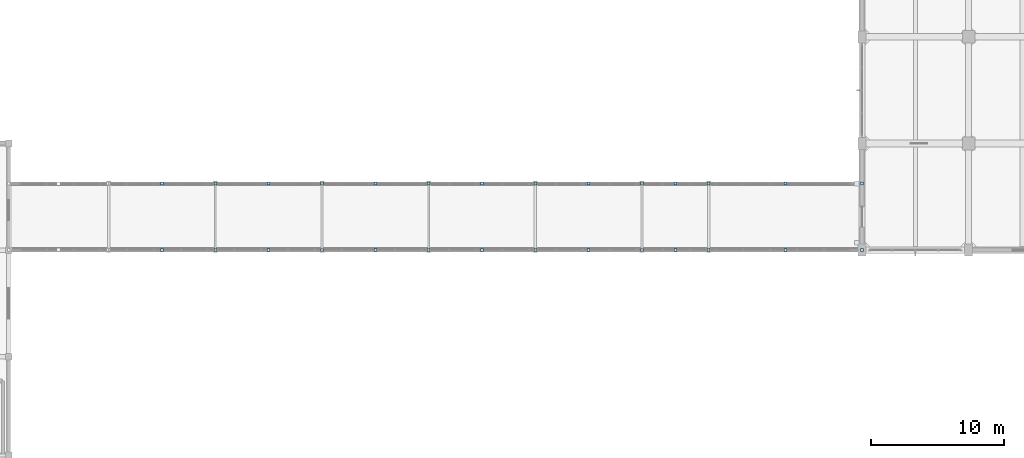
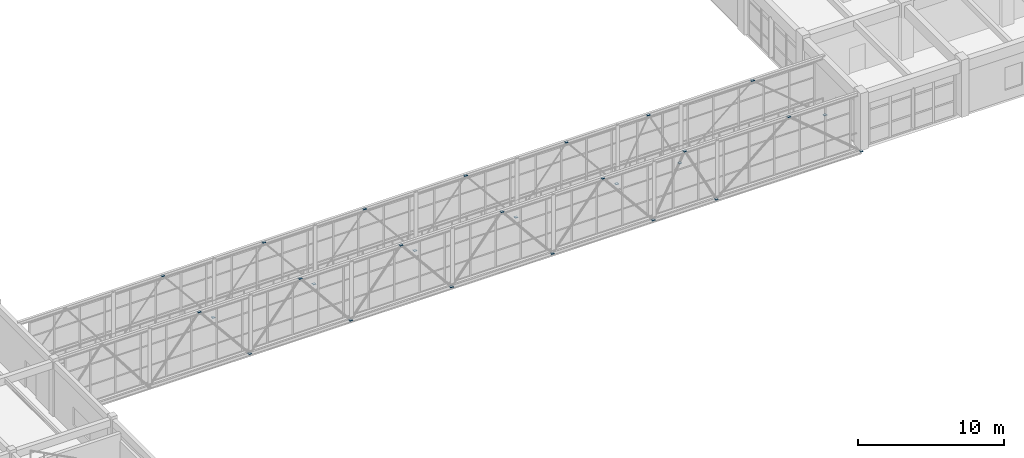
# One storey, part 216 of 248: 28 plates.
"""IFC4 building model written with IfcOpenShell, lengths in metres."""

from ifc_helpers import new_model, si_unit, direction, frame, origin, origin_2d, place, context, subcontext, project, spatial, rectangle, extrude, material, layer, layer_set, type_object, element, save


model = new_model("IFC4")

# Units and contexts
model_context = context("Model", 3, precision=1e-05, world=origin(), true_north=direction((0.0, 1.0)))
body_context = subcontext(model_context, "Body", "Model", "MODEL_VIEW")
ifc_project = project(units=[si_unit("LENGTHUNIT", "METRE"), si_unit("AREAUNIT", "SQUARE_METRE"), si_unit("VOLUMEUNIT", "CUBIC_METRE"), si_unit("PLANEANGLEUNIT", "RADIAN"), si_unit("MASSUNIT", "GRAM", prefix="KILO")], contexts=[model_context])

# Site, building, storey
site_placement = place(None, origin())
site = spatial("IfcSite", under=ifc_project, at=site_placement, CompositionType="ELEMENT")
building_placement = place(site_placement, origin())
building = spatial("IfcBuilding", under=site, at=building_placement, Name="Canggui Botanical Conservatory", CompositionType="ELEMENT")
storey_placement = place(building_placement, frame((0.0, 0.0, 5.39990234375)))
storey = spatial("IfcBuildingStorey", under=building, at=storey_placement, Name="L02", CompositionType="ELEMENT", Elevation=5.39990234375)

# Plates
ifc_material = material(Name="Steel Q355B", Category="steel")
ifc_layer = layer(ifc_material, 0.02001953125, Name="Steel Q355B", Category="steel")
ifc_layer_set = layer_set([ifc_layer], Name="Steel Q355B")
plate_type = type_object("IfcPlateType", Name="PLT-CAP-20", PredefinedType="USERDEFINED", material=ifc_layer_set)
for number, where, z_axis, x_axis, name in (
    (1, (77.5, 26.0, 4.5400390625), (0.0, 0.0, 1.0), (1.0, 0.0, 0.0), "CP-SB-01-WBM-0-2A-1"),
    (2, (81.5, 26.0, -0.35986328125), (0.0, 0.0, 1.0), (1.0, 0.0, 0.0), "CP-SB-01-WBM-0-2B-1"),
    (3, (85.5, 26.0, 4.5400390625), (0.0, 0.0, 1.0), (1.0, 0.0, 0.0), "CP-SB-01-WBM-0-3A-1"),
    (4, (89.5, 26.0, -0.35986328125), (0.0, 0.0, 1.0), (1.0, 0.0, 0.0), "CP-SB-01-WBM-0-3B-1"),
    (5, (93.5, 26.0, 4.5400390625), (0.0, 0.0, 1.0), (1.0, 0.0, 0.0), "CP-SB-01-WBM-0-4A-1"),
    (6, (97.5, 26.0, -0.35986328125), (0.0, 0.0, 1.0), (1.0, 0.0, 0.0), "CP-SB-01-WBM-0-4B-1"),
    (7, (101.5, 26.0, 4.5400390625), (0.0, 0.0, 1.0), (1.0, 0.0, 0.0), "CP-SB-01-WBM-0-5A-1"),
    (8, (105.5, 26.0, -0.35986328125), (0.0, 0.0, 1.0), (1.0, 0.0, 0.0), "CP-SB-01-WBM-0-5B-1"),
    (9, (109.5, 26.0, 4.5400390625), (0.0, 0.0, 1.0), (1.0, 0.0, 0.0), "CP-SB-01-WBM-0-6A-1"),
    (10, (113.5, 26.0, -0.35986328125), (0.0, 0.0, 1.0), (1.0, 0.0, 0.0), "CP-SB-01-WBM-0-6B-1"),
    (11, (116.0, 26.0, 4.5400390625), (0.0, 0.0, 1.0), (1.0, 0.0, 0.0), "CP-SB-01-WBM-0-7A-1"),
    (12, (118.5, 26.0, -0.35986328125), (0.0, 0.0, 1.0), (1.0, 0.0, 0.0), "CP-SB-01-WBM-0-7B-1"),
    (13, (124.25, 26.0, 4.5400390625), (0.0, 0.0, 1.0), (1.0, 0.0, 0.0), "CP-SB-01-WBM-0-8A-1"),
    (14, (130.0, 26.0, -0.35986328125), (0.0, 0.0, 1.0), (1.0, 0.0, 0.0), "CP-SB-01-WBM-0-8B-1"),
    (15, (77.5, 31.0, 4.5400390625), (0.0, 0.0, 1.0), (1.0, 0.0, 0.0), "CP-SB-01-WBM-1-2A-1"),
    (16, (81.5, 31.0, -0.35986328125), (0.0, 0.0, 1.0), (1.0, 0.0, 0.0), "CP-SB-01-WBM-1-2B-1"),
    (17, (85.5, 31.0, 4.5400390625), (0.0, 0.0, 1.0), (1.0, 0.0, 0.0), "CP-SB-01-WBM-1-3A-1"),
    (18, (89.5, 31.0, -0.35986328125), (0.0, 0.0, 1.0), (1.0, 0.0, 0.0), "CP-SB-01-WBM-1-3B-1"),
    (19, (93.5, 31.0, 4.5400390625), (0.0, 0.0, 1.0), (1.0, 0.0, 0.0), "CP-SB-01-WBM-1-4A-1"),
    (20, (97.5, 31.0, -0.35986328125), (0.0, 0.0, 1.0), (1.0, 0.0, 0.0), "CP-SB-01-WBM-1-4B-1"),
    (21, (101.5, 31.0, 4.5400390625), (0.0, 0.0, 1.0), (1.0, 0.0, 0.0), "CP-SB-01-WBM-1-5A-1"),
    (22, (105.5, 31.0, -0.35986328125), (0.0, 0.0, 1.0), (1.0, 0.0, 0.0), "CP-SB-01-WBM-1-5B-1"),
    (23, (109.5, 31.0, 4.5400390625), (0.0, 0.0, 1.0), (1.0, 0.0, 0.0), "CP-SB-01-WBM-1-6A-1"),
    (24, (113.5, 31.0, -0.35986328125), (0.0, 0.0, 1.0), (1.0, 0.0, 0.0), "CP-SB-01-WBM-1-6B-1"),
    (25, (116.0, 31.0, 4.5400390625), (0.0, 0.0, 1.0), (1.0, 0.0, 0.0), "CP-SB-01-WBM-1-7A-1"),
    (26, (118.5, 31.0, -0.35986328125), (0.0, 0.0, 1.0), (1.0, 0.0, 0.0), "CP-SB-01-WBM-1-7B-1"),
    (27, (124.25, 31.0, 4.5400390625), (0.0, 0.0, 1.0), (1.0, 0.0, 0.0), "CP-SB-01-WBM-1-8A-1"),
    (28, (130.0, 31.0, -0.35986328125), (0.0, 0.0, 1.0), (1.0, 0.0, 0.0), "CP-SB-01-WBM-1-8B-1"),
):
    element("IfcPlate", number, at=place(storey_placement, frame(where, z_axis=z_axis, x_axis=x_axis)), inside=storey, type_object=plate_type, Name=name, ObjectType="END CAP PLATE", PredefinedType="USERDEFINED", context=body_context, shape_type="SweptSolid", body=[
        extrude(rectangle(XDim=0.219970703125, YDim=0.219970703125, at=origin_2d()), origin(), (0.0, 0.0, 1.0), 0.02001953125),
    ])

save(model, "model.ifc")
